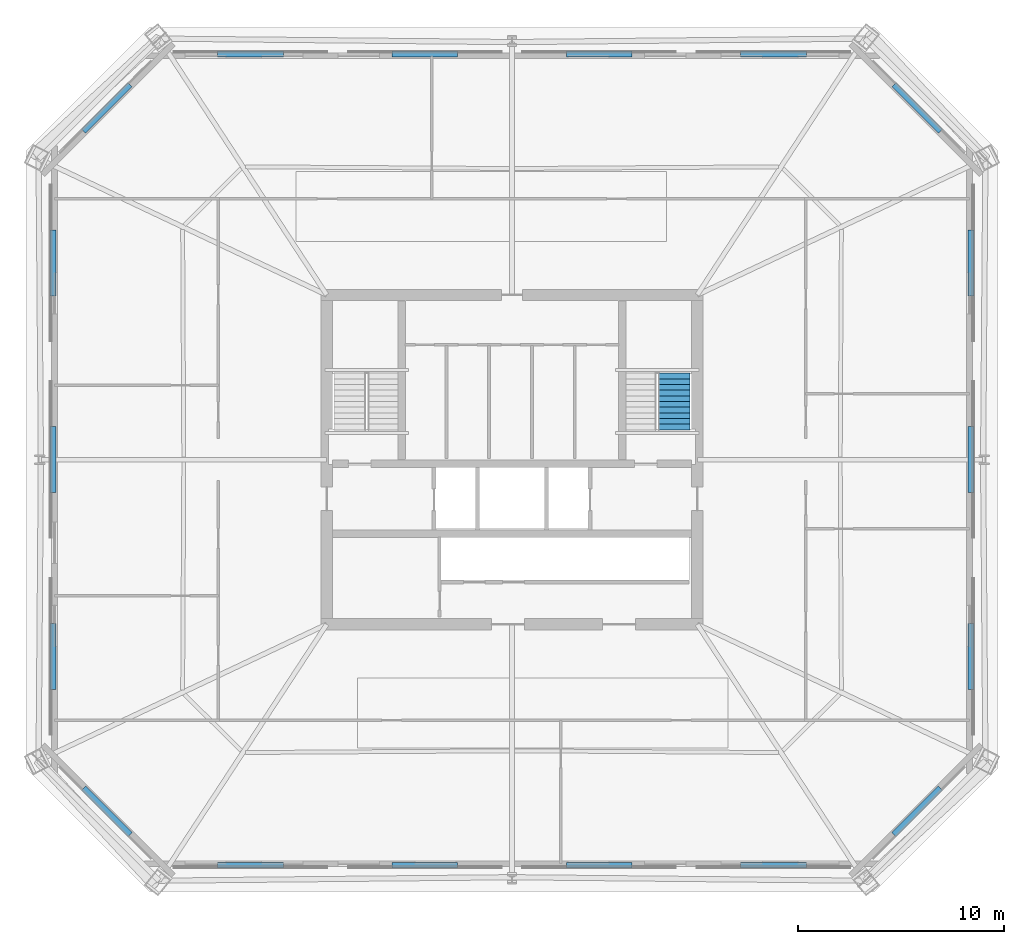
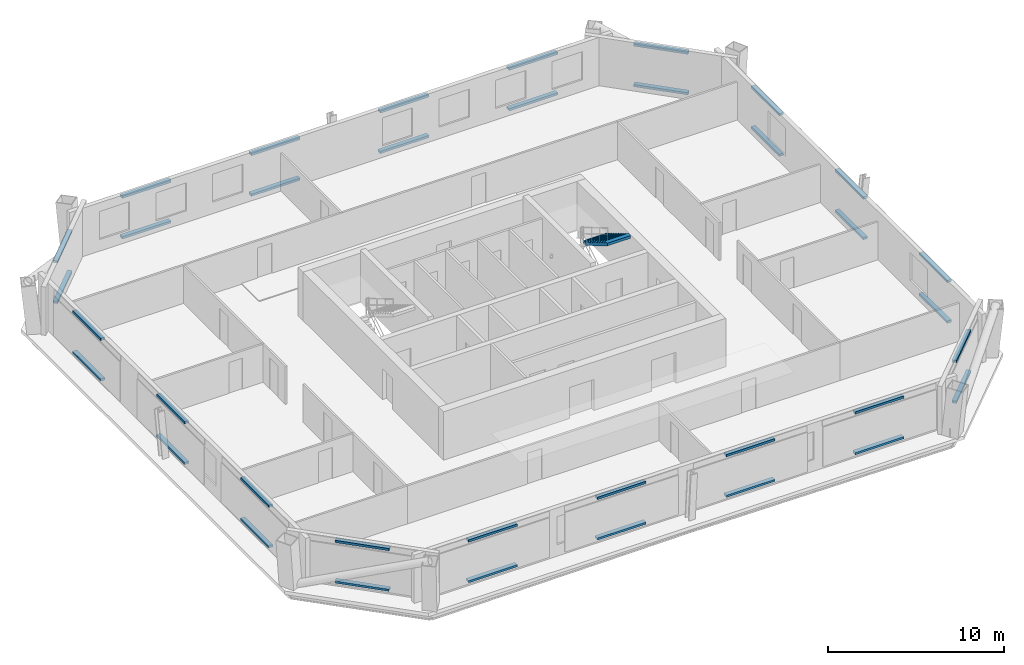
# One storey, part 5 of 7: 36 discrete accessories, 1 stair flight, 1 element without a shape of its own.
"""IFC4 building model written with IfcOpenShell, lengths in metres."""

from ifc_helpers import new_model, si_unit, direction, frame, origin, origin_2d, place, context, subcontext, project, spatial, polyline, rectangle, outline, extrude, material, type_object, element, aggregate, save


model = new_model("IFC4")

# Units and contexts
model_context = context("Model", 3, precision=1e-05, world=origin(), true_north=direction((0.0, 1.0)))
body_context = subcontext(model_context, "Body", "Model", "MODEL_VIEW")
ifc_project = project(units=[si_unit("LENGTHUNIT", "METRE"), si_unit("AREAUNIT", "SQUARE_METRE"), si_unit("VOLUMEUNIT", "CUBIC_METRE"), si_unit("PLANEANGLEUNIT", "RADIAN"), si_unit("MASSUNIT", "GRAM", prefix="KILO")], contexts=[model_context])

# Site, building, storey
site_placement = place(None, origin())
site = spatial("IfcSite", under=ifc_project, at=site_placement, CompositionType="ELEMENT")
building_placement = place(site_placement, origin())
building = spatial("IfcBuilding", under=site, at=building_placement, Name="Caelvoria Tower", CompositionType="ELEMENT")
storey_placement = place(building_placement, frame((0.0, 0.0, 124.0)))
storey = spatial("IfcBuildingStorey", under=building, at=storey_placement, Name="L32", CompositionType="ELEMENT", Elevation=124.0)

# Stair, stair flight
ifc_material_1 = material(Name="Concrete C40/50", Category="concrete")
stair_type = type_object("IfcStairType", Name="Core Smokeproof Dogleg Stair Concrete C40/50", PredefinedType="HALF_TURN_STAIR", material=ifc_material_1)
stair_placement = place(storey_placement, origin())
stair = element("IfcStair", 1, at=stair_placement, inside=storey, type_object=stair_type, Name="ST-02 Smokeproof Exit Stair L32", PredefinedType="HALF_TURN_STAIR")
ifc_material_2 = material(Name="Precast Concrete C40/50", Category="concrete")
stair_flight_type = type_object("IfcStairFlightType", Name="Precast Concrete C40/50 Stair Flight 1480", PredefinedType="STRAIGHT", material=ifc_material_2)
stair_flight_placement = place(storey_placement, frame((53.8701171875, 36.199951171875, 1.800048828125), z_axis=(0.0, 0.0, 1.0), x_axis=(0.0, -1.0, 0.0)))
stair_flight = element("IfcStairFlight", 2, at=stair_flight_placement, type_object=stair_flight_type, Name="ST-02 flight 2", NumberOfRisers=11, NumberOfTreads=10, PredefinedType="STRAIGHT", RiserHeight=0.1636, TreadLength=0.275, context=body_context, shape_type="SweptSolid", body=[
    extrude(outline(polyline([(0.0, 0.0), (0.0, 0.16357421875), (0.27490234375, 0.16357421875), (0.27490234375, 0.3271484375), (0.550048828125, 0.3271484375), (0.550048828125, 0.49072265625), (0.824951171875, 0.49072265625), (0.824951171875, 0.654296875), (1.10009765625, 0.654296875), (1.10009765625, 0.818115234375), (1.375, 0.818115234375), (1.375, 0.981689453125), (1.64990234375, 0.981689453125), (1.64990234375, 1.145263671875), (1.925048828125, 1.145263671875), (1.925048828125, 1.308837890625), (2.199951171875, 1.308837890625), (2.199951171875, 1.472412109375), (2.47509765625, 1.472412109375), (2.47509765625, 1.635986328125), (2.75, 1.635986328125), (2.75, 1.799560546875), (2.75, 1.449951171875), (0.312744140625, 0.0), (0.0, 0.0)])), frame((0.0, 0.77001953125, 0.0), z_axis=(0.0, -1.0, 0.0), x_axis=(1.0, 0.0, 0.0)), (0.0, 0.0, 1.0), 1.5400390625),
])
aggregate(stair, [stair_flight])

# Discrete accessories
ifc_material_3 = material(Name="Anodised Bronze Stainless Bracket", Category="bronze")
discrete_accessory_type = type_object("IfcDiscreteAccessoryType", Name="Solar Screen Outrigger Support Bracket", PredefinedType="BRACKET", material=ifc_material_3)
for number, where, z_axis, x_axis, name in (
    (3, (33.294921875, 12.302978515625, 0.240234375), (0.0, 0.0, 1.0), (1.0, 0.0, 0.0), "Solar Screen Bracket L32-E0-00"),
    (4, (33.294921875, 12.302978515625, 3.06005859375), (0.0, 0.0, 1.0), (1.0, 0.0, 0.0), "Upper Screen Band Bracket L32-E0-00"),
    (5, (41.764892578125, 12.302978515625, 0.240234375), (0.0, 0.0, 1.0), (1.0, 0.0, 0.0), "Solar Screen Bracket L32-E0-01"),
    (6, (41.764892578125, 12.302978515625, 3.06005859375), (0.0, 0.0, 1.0), (1.0, 0.0, 0.0), "Upper Screen Band Bracket L32-E0-01"),
    (7, (50.235107421875, 12.302978515625, 0.240234375), (0.0, 0.0, 1.0), (1.0, 0.0, 0.0), "Solar Screen Bracket L32-E0-02"),
    (8, (50.235107421875, 12.302978515625, 3.06005859375), (0.0, 0.0, 1.0), (1.0, 0.0, 0.0), "Upper Screen Band Bracket L32-E0-02"),
    (9, (58.705078125, 12.302978515625, 0.240234375), (0.0, 0.0, 1.0), (1.0, 0.0, 0.0), "Solar Screen Bracket L32-E0-03"),
    (10, (58.705078125, 12.302978515625, 3.06005859375), (0.0, 0.0, 1.0), (1.0, 0.0, 0.0), "Upper Screen Band Bracket L32-E0-03"),
    (11, (65.6787109375, 14.92138671875, 0.240234375), (0.0, 0.0, 1.0), (0.707106781187, 0.707106781187, 0.0), "Solar Screen Bracket L32-E1-00"),
    (12, (65.6787109375, 14.92138671875, 3.06005859375), (0.0, 0.0, 1.0), (0.707106781187, 0.707106781187, 0.0), "Upper Screen Band Bracket L32-E1-00"),
    (13, (68.297119140625, 22.43994140625, 0.240234375), (0.0, 0.0, 1.0), (0.0, 1.0, 0.0), "Solar Screen Bracket L32-E2-00"),
    (14, (68.297119140625, 22.43994140625, 3.06005859375), (0.0, 0.0, 1.0), (0.0, 1.0, 0.0), "Upper Screen Band Bracket L32-E2-00"),
    (15, (68.297119140625, 32.0, 0.240234375), (0.0, 0.0, 1.0), (0.0, 1.0, 0.0), "Solar Screen Bracket L32-E2-01"),
    (16, (68.297119140625, 32.0, 3.06005859375), (0.0, 0.0, 1.0), (0.0, 1.0, 0.0), "Upper Screen Band Bracket L32-E2-01"),
    (17, (68.297119140625, 41.56005859375, 0.240234375), (0.0, 0.0, 1.0), (0.0, 1.0, 0.0), "Solar Screen Bracket L32-E2-02"),
    (18, (68.297119140625, 41.56005859375, 3.06005859375), (0.0, 0.0, 1.0), (0.0, 1.0, 0.0), "Upper Screen Band Bracket L32-E2-02"),
    (19, (65.6787109375, 49.07861328125, 0.240234375), (0.0, 0.0, 1.0), (-0.707106781187, 0.707106781187, 0.0), "Solar Screen Bracket L32-E3-00"),
    (20, (65.6787109375, 49.07861328125, 3.06005859375), (0.0, 0.0, 1.0), (-0.707106781187, 0.707106781187, 0.0), "Upper Screen Band Bracket L32-E3-00"),
    (21, (58.705078125, 51.697021484375, 0.240234375), (0.0, 0.0, 1.0), (-1.0, 0.0, 0.0), "Solar Screen Bracket L32-E4-00"),
    (22, (58.705078125, 51.697021484375, 3.06005859375), (0.0, 0.0, 1.0), (-1.0, 0.0, 0.0), "Upper Screen Band Bracket L32-E4-00"),
    (23, (50.235107421875, 51.697021484375, 0.240234375), (0.0, 0.0, 1.0), (-1.0, 0.0, 0.0), "Solar Screen Bracket L32-E4-01"),
    (24, (50.235107421875, 51.697021484375, 3.06005859375), (0.0, 0.0, 1.0), (-1.0, 0.0, 0.0), "Upper Screen Band Bracket L32-E4-01"),
    (25, (41.764892578125, 51.697021484375, 0.240234375), (0.0, 0.0, 1.0), (-1.0, 0.0, 0.0), "Solar Screen Bracket L32-E4-02"),
    (26, (41.764892578125, 51.697021484375, 3.06005859375), (0.0, 0.0, 1.0), (-1.0, 0.0, 0.0), "Upper Screen Band Bracket L32-E4-02"),
    (27, (33.294921875, 51.697021484375, 0.240234375), (0.0, 0.0, 1.0), (-1.0, 0.0, 0.0), "Solar Screen Bracket L32-E4-03"),
    (28, (33.294921875, 51.697021484375, 3.06005859375), (0.0, 0.0, 1.0), (-1.0, 0.0, 0.0), "Upper Screen Band Bracket L32-E4-03"),
    (29, (26.3212890625, 49.07861328125, 0.240234375), (0.0, 0.0, 1.0), (-0.707106781187, -0.707106781187, 0.0), "Solar Screen Bracket L32-E5-00"),
    (30, (26.3212890625, 49.07861328125, 3.06005859375), (0.0, 0.0, 1.0), (-0.707106781187, -0.707106781187, 0.0), "Upper Screen Band Bracket L32-E5-00"),
    (31, (23.702880859375, 41.56005859375, 0.240234375), (0.0, 0.0, 1.0), (0.0, -1.0, 0.0), "Solar Screen Bracket L32-E6-00"),
    (32, (23.702880859375, 41.56005859375, 3.06005859375), (0.0, 0.0, 1.0), (0.0, -1.0, 0.0), "Upper Screen Band Bracket L32-E6-00"),
    (33, (23.702880859375, 32.0, 0.240234375), (0.0, 0.0, 1.0), (0.0, -1.0, 0.0), "Solar Screen Bracket L32-E6-01"),
    (34, (23.702880859375, 32.0, 3.06005859375), (0.0, 0.0, 1.0), (0.0, -1.0, 0.0), "Upper Screen Band Bracket L32-E6-01"),
    (35, (23.702880859375, 22.43994140625, 0.240234375), (0.0, 0.0, 1.0), (0.0, -1.0, 0.0), "Solar Screen Bracket L32-E6-02"),
    (36, (23.702880859375, 22.43994140625, 3.06005859375), (0.0, 0.0, 1.0), (0.0, -1.0, 0.0), "Upper Screen Band Bracket L32-E6-02"),
    (37, (26.3212890625, 14.92138671875, 0.240234375), (0.0, 0.0, 1.0), (0.707106781187, -0.707106781187, 0.0), "Solar Screen Bracket L32-E7-00"),
    (38, (26.3212890625, 14.92138671875, 3.06005859375), (0.0, 0.0, 1.0), (0.707106781187, -0.707106781187, 0.0), "Upper Screen Band Bracket L32-E7-00"),
):
    element("IfcDiscreteAccessory", number, at=place(storey_placement, frame(where, z_axis=z_axis, x_axis=x_axis)), inside=storey, type_object=discrete_accessory_type, Name=name, PredefinedType="BRACKET", context=body_context, shape_type="SweptSolid", body=[
        extrude(rectangle(XDim=3.199951171875, YDim=0.280029296875, at=origin_2d()), origin(), (0.0, 0.0, 1.0), 0.159912109375),
    ])

save(model, "model.ifc")
